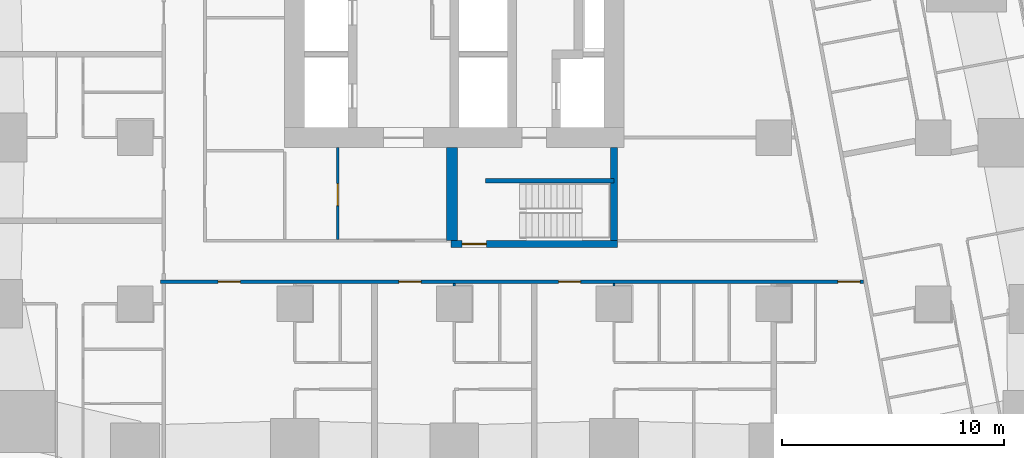
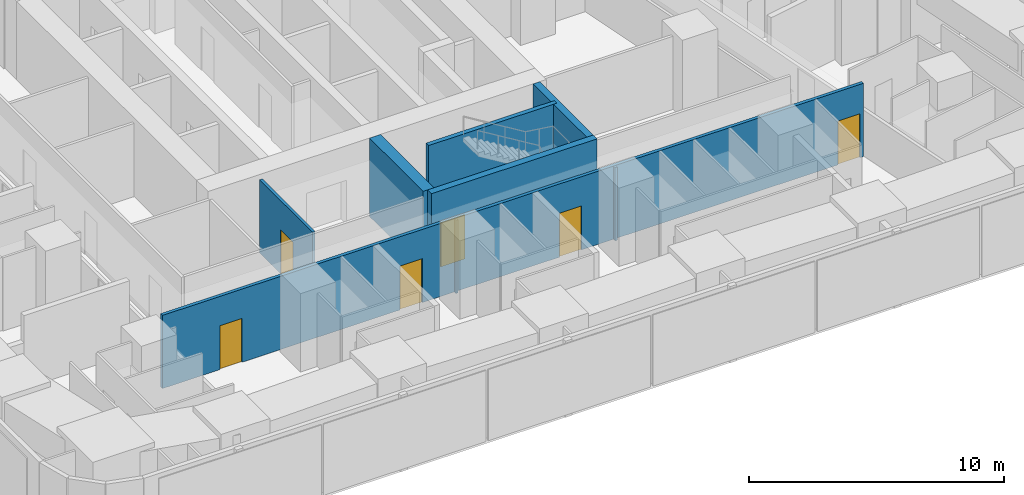
# One storey, part 4 of 16: 8 walls, 6 doors, 6 openings.
"""IFC4 building model written with IfcOpenShell, lengths in metres."""

from ifc_helpers import new_model, si_unit, direction, frame, frame_2d, origin, place, context, subcontext, project, spatial, rectangle, extrude, material, layer, layer_set, type_object, element, fill, save


model = new_model("IFC4")

# Units and contexts
model_context = context("Model", 3, precision=1e-05, world=origin(), true_north=direction((0.0, 1.0)))
body_context = subcontext(model_context, "Body", "Model", "MODEL_VIEW")
ifc_project = project(units=[si_unit("LENGTHUNIT", "METRE"), si_unit("AREAUNIT", "SQUARE_METRE"), si_unit("VOLUMEUNIT", "CUBIC_METRE"), si_unit("PLANEANGLEUNIT", "RADIAN"), si_unit("MASSUNIT", "GRAM", prefix="KILO")], contexts=[model_context])

# Site, building, storey
site_placement = place(None, origin())
site = spatial("IfcSite", under=ifc_project, at=site_placement, CompositionType="ELEMENT")
building_placement = place(site_placement, origin())
building = spatial("IfcBuilding", under=site, at=building_placement, Name="Sheger Commons Tower", CompositionType="ELEMENT")
storey_placement = place(building_placement, frame((0.0, 0.0, 92.89990234375)))
storey = spatial("IfcBuildingStorey", under=building, at=storey_placement, Name="L23", CompositionType="ELEMENT", Elevation=92.89990234375)

# Wall, openings, doors
ifc_material_1 = material(Name="Hollow concrete block masonry, skimmed both sides", Category="masonry")
ifc_layer_1 = layer(ifc_material_1, 0.14990234375)
ifc_layer_set_1 = layer_set([ifc_layer_1], Name="CORRIDOR WALL 150")
wall_type_1 = type_object("IfcWallType", Name="CORRIDOR WALL 150", PredefinedType="SOLIDWALL", material=ifc_layer_set_1)
wall_1_placement = place(storey_placement, frame((40.052978515625, 8.5, 0.0), z_axis=(0.0, 0.0, 1.0), x_axis=(-1.0, 0.0, 0.0)))
wall_1 = element("IfcWall", 1, at=wall_1_placement, inside=storey, type_object=wall_type_1, Name="Corridor wall L23", PredefinedType="SOLIDWALL", context=body_context, shape_type="SweptSolid", body=[
    extrude(rectangle(XDim=31.702880859375, YDim=0.14990234375, at=frame_2d((15.8515625, 0.0))), origin(), (0.0, 0.0, 1.0), 3.5),
])
opening_1_placement = place(wall_1_placement, frame((28.10302734375, 0.0, 0.0)))
opening_1 = element("IfcOpeningElement", 2, at=opening_1_placement, cuts=wall_1, Name="Opening D1", PredefinedType="OPENING", context=body_context, shape_type="SweptSolid", body=[
    extrude(rectangle(XDim=1.0, YDim=2.10009765625, at=frame_2d((0.5, 1.050048828125))), frame((0.0, 0.0849609375, 0.0), z_axis=(0.0, -1.0, 0.0), x_axis=(1.0, 0.0, 0.0)), (0.0, 0.0, 1.0), 0.169921875),
])
opening_2_placement = place(wall_1_placement, frame((19.952880859375, 0.0, 0.0)))
opening_2 = element("IfcOpeningElement", 3, at=opening_2_placement, cuts=wall_1, Name="Opening D1", PredefinedType="OPENING", context=body_context, shape_type="SweptSolid", body=[
    extrude(rectangle(XDim=1.0, YDim=2.10009765625, at=frame_2d((0.5, 1.050048828125))), frame((0.0, 0.0849609375, 0.0), z_axis=(0.0, -1.0, 0.0), x_axis=(1.0, 0.0, 0.0)), (0.0, 0.0, 1.0), 0.169921875),
])
opening_3_placement = place(wall_1_placement, frame((12.7529296875, 0.0, 0.0)))
opening_3 = element("IfcOpeningElement", 4, at=opening_3_placement, cuts=wall_1, Name="Opening D1", PredefinedType="OPENING", context=body_context, shape_type="SweptSolid", body=[
    extrude(rectangle(XDim=1.0, YDim=2.10009765625, at=frame_2d((0.5, 1.050048828125))), frame((0.0, 0.0849609375, 0.0), z_axis=(0.0, -1.0, 0.0), x_axis=(1.0, 0.0, 0.0)), (0.0, 0.0, 1.0), 0.169921875),
])
opening_4_placement = place(wall_1_placement, frame((0.14990234375, 0.0, 0.0)))
opening_4 = element("IfcOpeningElement", 5, at=opening_4_placement, cuts=wall_1, Name="Opening D1", PredefinedType="OPENING", context=body_context, shape_type="SweptSolid", body=[
    extrude(rectangle(XDim=1.0, YDim=2.10009765625, at=frame_2d((0.5, 1.050048828125))), frame((0.0, 0.0849609375, 0.0), z_axis=(0.0, -1.0, 0.0), x_axis=(1.0, 0.0, 0.0)), (0.0, 0.0, 1.0), 0.169921875),
])
ifc_material_2 = material(Name="Steel door set, fire rated", Category="steel")
door_type_1 = type_object("IfcDoorType", Name="FLAT ENTRANCE DOOR 1000x2100", OperationType="NOTDEFINED", PredefinedType="DOOR", material=ifc_material_2)
door_1_placement = place(opening_1_placement, origin())
door_1 = element("IfcDoor", 6, at=door_1_placement, inside=storey, type_object=door_type_1, Name="Flat entrance door", OperationType="SINGLE_SWING_RIGHT", OverallHeight=2.10009765625, OverallWidth=1.0, PredefinedType="DOOR", context=body_context, shape_type="SweptSolid", body=[
    extrude(rectangle(XDim=1.0, YDim=2.10009765625, at=frame_2d((0.5, 1.050048828125))), frame((0.0, 0.02490234375, 0.0), z_axis=(0.0, -1.0, 0.0), x_axis=(1.0, 0.0, 0.0)), (0.0, 0.0, 1.0), 0.050048828125),
])
fill(opening_1, door_1)
door_2_placement = place(opening_2_placement, origin())
door_2 = element("IfcDoor", 7, at=door_2_placement, inside=storey, type_object=door_type_1, Name="Flat entrance door", OperationType="SINGLE_SWING_RIGHT", OverallHeight=2.10009765625, OverallWidth=1.0, PredefinedType="DOOR", context=body_context, shape_type="SweptSolid", body=[
    extrude(rectangle(XDim=1.0, YDim=2.10009765625, at=frame_2d((0.5, 1.050048828125))), frame((0.0, 0.02490234375, 0.0), z_axis=(0.0, -1.0, 0.0), x_axis=(1.0, 0.0, 0.0)), (0.0, 0.0, 1.0), 0.050048828125),
])
fill(opening_2, door_2)
door_3_placement = place(opening_3_placement, origin())
door_3 = element("IfcDoor", 8, at=door_3_placement, inside=storey, type_object=door_type_1, Name="Flat entrance door", OperationType="SINGLE_SWING_RIGHT", OverallHeight=2.10009765625, OverallWidth=1.0, PredefinedType="DOOR", context=body_context, shape_type="SweptSolid", body=[
    extrude(rectangle(XDim=1.0, YDim=2.10009765625, at=frame_2d((0.5, 1.050048828125))), frame((0.0, 0.02490234375, 0.0), z_axis=(0.0, -1.0, 0.0), x_axis=(1.0, 0.0, 0.0)), (0.0, 0.0, 1.0), 0.050048828125),
])
fill(opening_3, door_3)
door_4_placement = place(opening_4_placement, origin())
door_4 = element("IfcDoor", 9, at=door_4_placement, inside=storey, type_object=door_type_1, Name="Flat entrance door", OperationType="SINGLE_SWING_LEFT", OverallHeight=2.10009765625, OverallWidth=1.0, PredefinedType="DOOR", context=body_context, shape_type="SweptSolid", body=[
    extrude(rectangle(XDim=1.0, YDim=2.10009765625, at=frame_2d((0.5, 1.050048828125))), frame((0.0, 0.02490234375, 0.0), z_axis=(0.0, -1.0, 0.0), x_axis=(1.0, 0.0, 0.0)), (0.0, 0.0, 1.0), 0.050048828125),
])
fill(opening_4, door_4)

# Walls
ifc_material_3 = material(Name="Gypsum board on steel studs", Category="steel")
ifc_layer_2 = layer(ifc_material_3, 0.10009765625)
ifc_layer_set_2 = layer_set([ifc_layer_2], Name="PARTITION 100")
wall_type_2 = type_object("IfcWallType", Name="PARTITION 100", PredefinedType="PARTITIONING", material=ifc_layer_set_2)
for number, where, z_axis, x_axis, name in (
    (10, (21.60009765625, 8.301025390625, 0.0), (0.0, 0.0, 1.0), (0.0, 1.0, 0.0), "Partition L23"),
    (11, (28.800048828125, 8.301025390625, 0.0), (0.0, 0.0, 1.0), (0.0, 1.0, 0.0), "Partition L23"),
):
    element("IfcWall", number, at=place(storey_placement, frame(where, z_axis=z_axis, x_axis=x_axis)), inside=storey, type_object=wall_type_2, Name=name, PredefinedType="PARTITIONING", context=body_context, shape_type="SweptSolid", body=[
        extrude(rectangle(XDim=0.1240234375, YDim=0.10009765625, at=frame_2d((0.06201171875, 0.0))), origin(), (0.0, 0.0, 1.0), 3.5),
    ])

# Wall, opening, door
ifc_material_4 = material(Name="Gypsum board on steel studs, two layers each side, fire rated", Category="steel")
ifc_layer_3 = layer(ifc_material_4, 0.125)
ifc_layer_set_3 = layer_set([ifc_layer_3], Name="SERVICE WALL 125")
wall_type_3 = type_object("IfcWallType", Name="SERVICE WALL 125", PredefinedType="PARTITIONING", material=ifc_layer_set_3)
wall_2_placement = place(storey_placement, frame((16.340087890625, 10.4130859375, 0.0), z_axis=(0.0, 0.0, 1.0), x_axis=(0.0, 1.0, 0.0)))
wall_2 = element("IfcWall", 12, at=wall_2_placement, inside=storey, type_object=wall_type_3, Name="Service room wall L23", PredefinedType="PARTITIONING", context=body_context, shape_type="SweptSolid", body=[
    extrude(rectangle(XDim=4.136962890625, YDim=0.125, at=frame_2d((2.068359375, 0.0))), origin(), (0.0, 0.0, 1.0), 3.5),
])
opening_5_placement = place(wall_2_placement, frame((1.511962890625, 0.0, 0.0)))
opening_5 = element("IfcOpeningElement", 13, at=opening_5_placement, cuts=wall_2, Name="Opening D4", PredefinedType="OPENING", context=body_context, shape_type="SweptSolid", body=[
    extrude(rectangle(XDim=1.0, YDim=2.10009765625, at=frame_2d((0.5, 1.050048828125))), frame((0.0, 0.072509765625, 0.0), z_axis=(0.0, -1.0, 0.0), x_axis=(1.0, 0.0, 0.0)), (0.0, 0.0, 1.0), 0.14501953125),
])
ifc_material_5 = material(Name="Steel door set, fire rated", Category="steel")
door_type_2 = type_object("IfcDoorType", Name="SERVICE DOOR 1000x2100", OperationType="NOTDEFINED", PredefinedType="DOOR", material=ifc_material_5)
door_5_placement = place(opening_5_placement, origin())
door_5 = element("IfcDoor", 14, at=door_5_placement, inside=storey, type_object=door_type_2, Name="Electrical room door", OperationType="SINGLE_SWING_LEFT", OverallHeight=2.10009765625, OverallWidth=1.0, PredefinedType="DOOR", context=body_context, shape_type="SweptSolid", body=[
    extrude(rectangle(XDim=1.0, YDim=2.10009765625, at=frame_2d((0.5, 1.050048828125))), frame((0.0, 0.02490234375, 0.0), z_axis=(0.0, -1.0, 0.0), x_axis=(1.0, 0.0, 0.0)), (0.0, 0.0, 1.0), 0.050048828125),
])
fill(opening_5, door_5)

ifc_material_6 = material(Name="Concrete C50/60", Category="concrete")
ifc_layer_4 = layer(ifc_material_6, 0.300048828125)
ifc_layer_set_4 = layer_set([ifc_layer_4], Name="STAIR CORE WALL 300")
wall_type_4 = type_object("IfcWallType", Name="STAIR CORE WALL 300", PredefinedType="SHEAR", material=ifc_layer_set_4)
wall_3_placement = place(storey_placement, frame((21.449951171875, 10.199951171875, 0.0), z_axis=(0.0, 0.0, 1.0), x_axis=(1.0, 0.0, 0.0)))
wall_3 = element("IfcWall", 15, at=wall_3_placement, inside=storey, type_object=wall_type_4, Name="STW-L23-S1S", PredefinedType="SHEAR", context=body_context, shape_type="SweptSolid", body=[
    extrude(rectangle(XDim=7.5, YDim=0.300048828125, at=frame_2d((3.75, 0.0))), origin(), (0.0, 0.0, 1.0), 3.75),
])
opening_6_placement = place(wall_3_placement, frame((0.5, 0.0, 0.0)))
opening_6 = element("IfcOpeningElement", 16, at=opening_6_placement, cuts=wall_3, Name="Opening D5", PredefinedType="OPENING", context=body_context, shape_type="SweptSolid", body=[
    extrude(rectangle(XDim=1.10009765625, YDim=2.10009765625, at=frame_2d((0.550048828125, 1.050048828125))), frame((0.0, 0.159912109375, 0.0), z_axis=(0.0, -1.0, 0.0), x_axis=(1.0, 0.0, 0.0)), (0.0, 0.0, 1.0), 0.320068359375),
])
ifc_material_7 = material(Name="Steel door set, fire rated", Category="steel")
door_type_3 = type_object("IfcDoorType", Name="STAIR DOOR 1100x2100", OperationType="NOTDEFINED", PredefinedType="DOOR", material=ifc_material_7)
door_6_placement = place(opening_6_placement, origin())
door_6 = element("IfcDoor", 17, at=door_6_placement, inside=storey, type_object=door_type_3, Name="Stair S1 door", OperationType="SINGLE_SWING_LEFT", OverallHeight=2.10009765625, OverallWidth=1.10009765625, PredefinedType="DOOR", context=body_context, shape_type="SweptSolid", body=[
    extrude(rectangle(XDim=1.10009765625, YDim=2.10009765625, at=frame_2d((0.550048828125, 1.050048828125))), frame((0.0, 0.02490234375, 0.0), z_axis=(0.0, -1.0, 0.0), x_axis=(1.0, 0.0, 0.0)), (0.0, 0.0, 1.0), 0.050048828125),
])
fill(opening_6, door_6)

# Walls
wall_4_placement = place(storey_placement, frame((28.800048828125, 10.35009765625, 0.0), z_axis=(0.0, 0.0, 1.0), x_axis=(0.0, 1.0, 0.0)))
element("IfcWall", 18, at=wall_4_placement, inside=storey, type_object=wall_type_4, Name="STW-L23-S1E", PredefinedType="SHEAR", context=body_context, shape_type="SweptSolid", body=[
    extrude(rectangle(XDim=4.199951171875, YDim=0.300048828125, at=frame_2d((2.10009765625, 0.0))), origin(), (0.0, 0.0, 1.0), 3.75),
])
ifc_material_8 = material(Name="Concrete C50/60", Category="concrete")
ifc_layer_5 = layer(ifc_material_8, 0.5)
ifc_layer_set_5 = layer_set([ifc_layer_5], Name="STAIR CORE WALL 500")
wall_type_5 = type_object("IfcWallType", Name="STAIR CORE WALL 500", PredefinedType="SHEAR", material=ifc_layer_set_5)
wall_5_placement = place(storey_placement, frame((21.5, 10.35009765625, 0.0), z_axis=(0.0, 0.0, 1.0), x_axis=(0.0, 1.0, 0.0)))
element("IfcWall", 19, at=wall_5_placement, inside=storey, type_object=wall_type_5, Name="STW-L23-S1W", PredefinedType="SHEAR", context=body_context, shape_type="SweptSolid", body=[
    extrude(rectangle(XDim=4.199951171875, YDim=0.5, at=frame_2d((2.10009765625, 0.0))), origin(), (0.0, 0.0, 1.0), 3.75),
])
ifc_material_9 = material(Name="Concrete C50/60", Category="concrete")
ifc_layer_6 = layer(ifc_material_9, 0.199951171875)
ifc_layer_set_6 = layer_set([ifc_layer_6], Name="STAIR SPINE WALL 200")
wall_type_6 = type_object("IfcWallType", Name="STAIR SPINE WALL 200", PredefinedType="SHEAR", material=ifc_layer_set_6)
wall_6_placement = place(storey_placement, frame((23.0, 13.050048828125, 0.0), z_axis=(0.0, 0.0, 1.0), x_axis=(1.0, 0.0, 0.0)))
element("IfcWall", 20, at=wall_6_placement, inside=storey, type_object=wall_type_6, Name="Stair spine wall L23", PredefinedType="SHEAR", context=body_context, shape_type="SweptSolid", body=[
    extrude(rectangle(XDim=5.800048828125, YDim=0.199951171875, at=frame_2d((2.89990234375, 0.0))), origin(), (0.0, 0.0, 1.0), 3.75),
])

save(model, "model.ifc")
